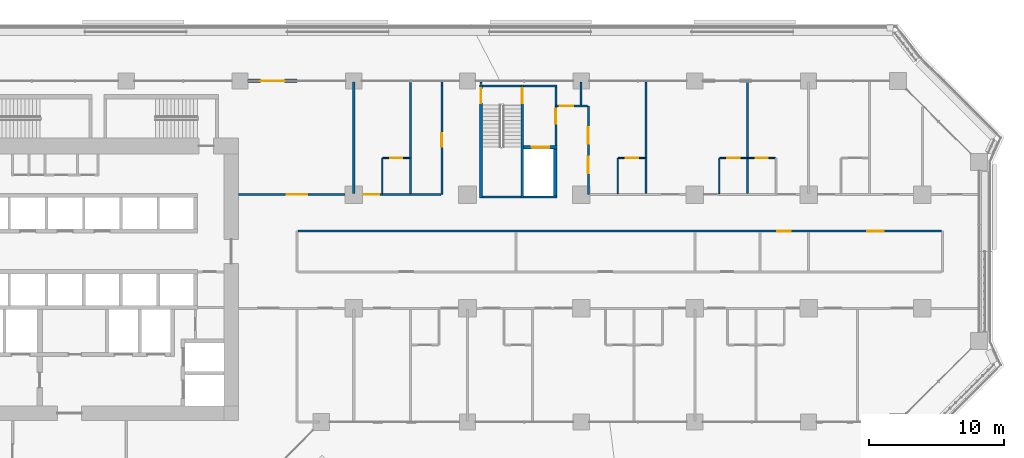
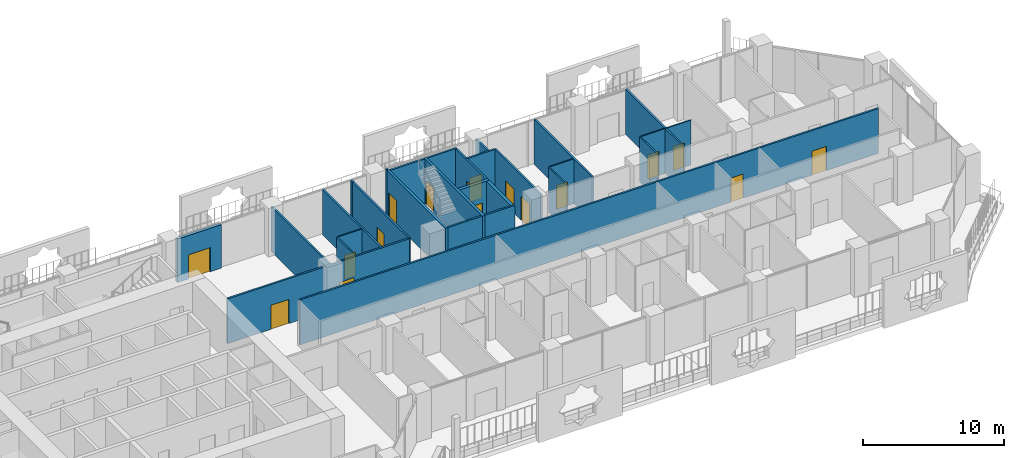
# One storey, part 18 of 28: 28 walls, 17 doors, 17 openings.
"""IFC4 building model written with IfcOpenShell, lengths in metres."""

from ifc_helpers import new_model, si_unit, direction, frame, frame_2d, origin, place, context, subcontext, project, spatial, rectangle, extrude, material, layer, layer_set, type_object, element, fill, save


model = new_model("IFC4")

# Units and contexts
model_context = context("Model", 3, precision=1e-05, world=origin(), true_north=direction((0.0, 1.0)))
body_context = subcontext(model_context, "Body", "Model", "MODEL_VIEW")
ifc_project = project(units=[si_unit("LENGTHUNIT", "METRE"), si_unit("AREAUNIT", "SQUARE_METRE"), si_unit("VOLUMEUNIT", "CUBIC_METRE"), si_unit("PLANEANGLEUNIT", "RADIAN"), si_unit("MASSUNIT", "GRAM", prefix="KILO")], contexts=[model_context])

# Site, building, storey
site_placement = place(None, origin())
site = spatial("IfcSite", under=ifc_project, at=site_placement, CompositionType="ELEMENT")
building_placement = place(site_placement, origin())
building = spatial("IfcBuilding", under=site, at=building_placement, Name="Kawkab Arch Medical Tower", CompositionType="ELEMENT")
storey_placement = place(building_placement, frame((0.0, 0.0, 56.0)))
storey = spatial("IfcBuildingStorey", under=building, at=storey_placement, Name="L12", CompositionType="ELEMENT", Elevation=56.0)

# Wall, opening, door
ifc_material_1 = material(Name="Gypsum board on steel studs", Category="steel")
ifc_layer_1 = layer(ifc_material_1, 0.14990234375)
ifc_layer_set_1 = layer_set([ifc_layer_1], Name="Gypsum board on steel studs")
wall_type_1 = type_object("IfcWallType", Name="Core room partition 150", PredefinedType="PARTITIONING", material=ifc_layer_set_1)
wall_1_placement = place(storey_placement, frame((48.52490234375, -4.77490234375, 0.0), z_axis=(0.0, 0.0, 1.0), x_axis=(0.0, 1.0, 0.0)))
wall_1 = element("IfcWall", 1, at=wall_1_placement, inside=storey, type_object=wall_type_1, Name="L12 core room partition", PredefinedType="PARTITIONING", context=body_context, shape_type="SweptSolid", body=[
    extrude(rectangle(XDim=4.324951171875, YDim=0.14990234375, at=frame_2d((2.16259765625, 0.0))), origin(), (0.0, 0.0, 1.0), 3.89990234375),
])
opening_1_placement = place(wall_1_placement, frame((1.625, 0.0, 0.0)))
opening_1 = element("IfcOpeningElement", 2, at=opening_1_placement, cuts=wall_1, Name="Opening FD", PredefinedType="OPENING", context=body_context, shape_type="SweptSolid", body=[
    extrude(rectangle(XDim=1.10009765625, YDim=2.10009765625, at=frame_2d((0.550048828125, 1.050048828125))), frame((0.0, 0.0849609375, 0.0), z_axis=(0.0, -1.0, 0.0), x_axis=(1.0, 0.0, 0.0)), (0.0, 0.0, 1.0), 0.169921875),
])
ifc_material_2 = material(Name="Hollow metal fire door leaf")
door_type_1 = type_object("IfcDoorType", Name="Firefighting lobby door 1100", OperationType="SINGLE_SWING_LEFT", PredefinedType="DOOR", material=ifc_material_2)
door_1_placement = place(opening_1_placement, origin())
door_1 = element("IfcDoor", 3, at=door_1_placement, inside=storey, type_object=door_type_1, Name="L12 Service lift lobby door SV1", OperationType="SINGLE_SWING_LEFT", OverallHeight=2.10009765625, OverallWidth=1.10009765625, PredefinedType="DOOR", context=body_context, shape_type="SweptSolid", body=[
    extrude(rectangle(XDim=1.10009765625, YDim=2.10009765625, at=frame_2d((0.550048828125, 1.050048828125))), frame((0.0, 0.02490234375, 0.0), z_axis=(0.0, -1.0, 0.0), x_axis=(1.0, 0.0, 0.0)), (0.0, 0.0, 1.0), 0.050048828125),
])
fill(opening_1, door_1)

ifc_material_3 = material(Name="Concrete C60/75", Category="concrete")
ifc_layer_2 = layer(ifc_material_3, 0.25)
ifc_layer_set_2 = layer_set([ifc_layer_2], Name="Concrete C60/75")
wall_type_2 = type_object("IfcWallType", Name="Core shear wall 250 C60/75", PredefinedType="SHEAR", material=ifc_layer_set_2)
wall_2_placement = place(storey_placement, frame((46.14990234375, -4.89990234375, 0.0), z_axis=(0.0, 0.0, 1.0), x_axis=(1.0, 0.0, 0.0)))
wall_2 = element("IfcWall", 4, at=wall_2_placement, inside=storey, type_object=wall_type_2, Name="L12 core shear wall", PredefinedType="SHEAR", context=body_context, shape_type="SweptSolid", body=[
    extrude(rectangle(XDim=2.4501953125, YDim=0.25, at=frame_2d((1.22509765625, 0.0))), origin(), (0.0, 0.0, 1.0), 3.89990234375),
])
opening_2_placement = place(wall_2_placement, frame((0.60009765625, 0.0, 0.0)))
opening_2 = element("IfcOpeningElement", 5, at=opening_2_placement, cuts=wall_2, Name="Opening LD2", PredefinedType="OPENING", context=body_context, shape_type="SweptSolid", body=[
    extrude(rectangle(XDim=1.300048828125, YDim=2.10009765625, at=frame_2d((0.64990234375, 1.050048828125))), frame((0.0, 0.135009765625, 0.0), z_axis=(0.0, -1.0, 0.0), x_axis=(1.0, 0.0, 0.0)), (0.0, 0.0, 1.0), 0.27001953125),
])
ifc_material_4 = material(Name="Stainless steel lift door leaf", Category="steel")
door_type_2 = type_object("IfcDoorType", Name="Lift landing door 1300", OperationType="DOUBLE_DOOR_SLIDING", PredefinedType="DOOR", material=ifc_material_4)
door_2_placement = place(opening_2_placement, origin())
door_2 = element("IfcDoor", 6, at=door_2_placement, inside=storey, type_object=door_type_2, Name="L12 Lift landing door SV1", OperationType="DOUBLE_DOOR_SLIDING", OverallHeight=2.10009765625, OverallWidth=1.300048828125, PredefinedType="DOOR", context=body_context, shape_type="SweptSolid", body=[
    extrude(rectangle(XDim=1.300048828125, YDim=2.10009765625, at=frame_2d((0.64990234375, 1.050048828125))), frame((0.0, 0.02490234375, 0.0), z_axis=(0.0, -1.0, 0.0), x_axis=(1.0, 0.0, 0.0)), (0.0, 0.0, 1.0), 0.050048828125),
])
fill(opening_2, door_2)

# Wall
wall_3_placement = place(storey_placement, frame((48.47509765625, -8.5, 0.0), z_axis=(0.0, 0.0, 1.0), x_axis=(0.0, 1.0, 0.0)))
element("IfcWall", 7, at=wall_3_placement, inside=storey, type_object=wall_type_2, Name="L12 core shear wall", PredefinedType="SHEAR", context=body_context, shape_type="SweptSolid", body=[
    extrude(rectangle(XDim=3.47509765625, YDim=0.25, at=frame_2d((1.737548828125, 0.0))), origin(), (0.0, 0.0, 1.0), 3.89990234375),
])

# Wall, opening, door
ifc_material_5 = material(Name="Bronze clad insulated wall panel")
ifc_layer_3 = layer(ifc_material_5, 0.25)
ifc_layer_set_3 = layer_set([ifc_layer_3], Name="Bronze clad insulated wall panel")
wall_type_3 = type_object("IfcWallType", Name="External wall bay 250", PredefinedType="SOLIDWALL", material=ifc_layer_set_3)
wall_4_placement = place(storey_placement, frame((29.39990234375, 0.0, 0.0), z_axis=(0.0, 0.0, 1.0), x_axis=(-1.0, 0.0, 0.0)))
wall_4 = element("IfcWall", 8, at=wall_4_placement, inside=storey, type_object=wall_type_3, Name="External wall bay L12.R11.6.2", PredefinedType="SOLIDWALL", context=body_context, shape_type="SweptSolid", body=[
    extrude(rectangle(XDim=3.599853515625, YDim=0.25, at=frame_2d((1.7998046875, 0.0))), origin(), (0.0, 0.0, 1.0), 3.780029296875),
])
opening_3_placement = place(wall_4_placement, frame((0.89990234375, 0.0, 0.0)))
opening_3 = element("IfcOpeningElement", 9, at=opening_3_placement, cuts=wall_4, Name="Opening W12-702", PredefinedType="OPENING", context=body_context, shape_type="SweptSolid", body=[
    extrude(rectangle(XDim=1.800048828125, YDim=2.10009765625, at=frame_2d((0.89990234375, 1.050048828125))), frame((0.0, 0.135009765625, 0.0), z_axis=(0.0, -1.0, 0.0), x_axis=(1.0, 0.0, 0.0)), (0.0, 0.0, 1.0), 0.27001953125),
])
ifc_material_6 = material(Name="Bronze anodised aluminium door with tinted glass", Category="aluminium")
door_type_3 = type_object("IfcDoorType", Name="Double external door 1800 x 2100", OperationType="DOUBLE_DOOR_SINGLE_SWING", PredefinedType="DOOR", material=ifc_material_6)
door_3_placement = place(opening_3_placement, origin())
door_3 = element("IfcDoor", 10, at=door_3_placement, inside=storey, type_object=door_type_3, Name="External door L12.R11.6.2", OperationType="DOUBLE_DOOR_SINGLE_SWING", OverallHeight=2.10009765625, OverallWidth=1.800048828125, PredefinedType="DOOR", context=body_context, shape_type="SweptSolid", body=[
    extrude(rectangle(XDim=1.800048828125, YDim=2.10009765625, at=frame_2d((0.89990234375, 1.050048828125))), frame((0.0, 0.02490234375, 0.0), z_axis=(0.0, -1.0, 0.0), x_axis=(1.0, 0.0, 0.0)), (0.0, 0.0, 1.0), 0.050048828125),
])
fill(opening_3, door_3)

ifc_material_7 = material(Name="Gypsum board partition on steel studs", Category="steel")
ifc_layer_4 = layer(ifc_material_7, 0.10009765625)
ifc_layer_set_4 = layer_set([ifc_layer_4], Name="Gypsum board partition on steel studs")
wall_type_4 = type_object("IfcWallType", Name="Partition 100", PredefinedType="PARTITIONING", material=ifc_layer_set_4)
wall_5_placement = place(storey_placement, frame((35.75, -5.699951171875, 0.0), z_axis=(0.0, 0.0, 1.0), x_axis=(1.0, 0.0, 0.0)))
wall_5 = element("IfcWall", 11, at=wall_5_placement, inside=storey, type_object=wall_type_4, Name="Partition 100 w015", PredefinedType="PARTITIONING", context=body_context, shape_type="SweptSolid", body=[
    extrude(rectangle(XDim=1.97509765625, YDim=0.10009765625, at=frame_2d((0.987548828125, 0.0))), origin(), (0.0, 0.0, 1.0), 3.89990234375),
])
opening_4_placement = place(wall_5_placement, frame((0.550048828125, 0.0, 0.0)))
opening_4 = element("IfcOpeningElement", 12, at=opening_4_placement, cuts=wall_5, Name="Opening W12-005", PredefinedType="OPENING", context=body_context, shape_type="SweptSolid", body=[
    extrude(rectangle(XDim=0.89990234375, YDim=2.10009765625, at=frame_2d((0.449951171875, 1.050048828125))), frame((0.0, 0.06005859375, 0.0), z_axis=(0.0, -1.0, 0.0), x_axis=(1.0, 0.0, 0.0)), (0.0, 0.0, 1.0), 0.1201171875),
])
ifc_material_8 = material(Name="Timber door leaf", Category="wood")
door_type_4 = type_object("IfcDoorType", Name="Single door 900x2100", OperationType="NOTDEFINED", PredefinedType="DOOR", material=ifc_material_8)
door_4_placement = place(opening_4_placement, origin())
door_4 = element("IfcDoor", 13, at=door_4_placement, inside=storey, type_object=door_type_4, Name="Door W12-005", OperationType="SINGLE_SWING_LEFT", OverallHeight=2.10009765625, OverallWidth=0.89990234375, PredefinedType="DOOR", context=body_context, shape_type="SweptSolid", body=[
    extrude(rectangle(XDim=0.89990234375, YDim=2.10009765625, at=frame_2d((0.449951171875, 1.050048828125))), frame((0.0, 0.02490234375, 0.0), z_axis=(0.0, -1.0, 0.0), x_axis=(1.0, 0.0, 0.0)), (0.0, 0.0, 1.0), 0.050048828125),
])
fill(opening_4, door_4)

wall_6_placement = place(storey_placement, frame((53.14990234375, -5.699951171875, 0.0), z_axis=(0.0, 0.0, 1.0), x_axis=(1.0, 0.0, 0.0)))
wall_6 = element("IfcWall", 14, at=wall_6_placement, inside=storey, type_object=wall_type_4, Name="Partition 100 w016", PredefinedType="PARTITIONING", context=body_context, shape_type="SweptSolid", body=[
    extrude(rectangle(XDim=1.97509765625, YDim=0.10009765625, at=frame_2d((0.987548828125, 0.0))), origin(), (0.0, 0.0, 1.0), 3.89990234375),
])
opening_5_placement = place(wall_6_placement, frame((0.550048828125, 0.0, 0.0)))
opening_5 = element("IfcOpeningElement", 15, at=opening_5_placement, cuts=wall_6, Name="Opening W12-006", PredefinedType="OPENING", context=body_context, shape_type="SweptSolid", body=[
    extrude(rectangle(XDim=0.89990234375, YDim=2.10009765625, at=frame_2d((0.449951171875, 1.050048828125))), frame((0.0, 0.06005859375, 0.0), z_axis=(0.0, -1.0, 0.0), x_axis=(1.0, 0.0, 0.0)), (0.0, 0.0, 1.0), 0.1201171875),
])
door_5_placement = place(opening_5_placement, origin())
door_5 = element("IfcDoor", 16, at=door_5_placement, inside=storey, type_object=door_type_4, Name="Door W12-006", OperationType="SINGLE_SWING_RIGHT", OverallHeight=2.10009765625, OverallWidth=0.89990234375, PredefinedType="DOOR", context=body_context, shape_type="SweptSolid", body=[
    extrude(rectangle(XDim=0.89990234375, YDim=2.10009765625, at=frame_2d((0.449951171875, 1.050048828125))), frame((0.0, 0.02490234375, 0.0), z_axis=(0.0, -1.0, 0.0), x_axis=(1.0, 0.0, 0.0)), (0.0, 0.0, 1.0), 0.050048828125),
])
fill(opening_5, door_5)

# Wall, openings, doors
wall_7_placement = place(storey_placement, frame((60.652099609375, -5.699951171875, 0.0), z_axis=(0.0, 0.0, 1.0), x_axis=(1.0, 0.0, 0.0)))
wall_7 = element("IfcWall", 17, at=wall_7_placement, inside=storey, type_object=wall_type_4, Name="Partition 100 w017", PredefinedType="PARTITIONING", context=body_context, shape_type="SweptSolid", body=[
    extrude(rectangle(XDim=4.097900390625, YDim=0.10009765625, at=frame_2d((2.048828125, 0.0))), origin(), (0.0, 0.0, 1.0), 3.89990234375),
])
opening_6_placement = place(wall_7_placement, frame((0.549072265625, 0.0, 0.0)))
opening_6 = element("IfcOpeningElement", 18, at=opening_6_placement, cuts=wall_7, Name="Opening W12-007", PredefinedType="OPENING", context=body_context, shape_type="SweptSolid", body=[
    extrude(rectangle(XDim=0.89990234375, YDim=2.10009765625, at=frame_2d((0.449951171875, 1.050048828125))), frame((0.0, 0.06005859375, 0.0), z_axis=(0.0, -1.0, 0.0), x_axis=(1.0, 0.0, 0.0)), (0.0, 0.0, 1.0), 0.1201171875),
])
opening_7_placement = place(wall_7_placement, frame((2.64794921875, 0.0, 0.0)))
opening_7 = element("IfcOpeningElement", 19, at=opening_7_placement, cuts=wall_7, Name="Opening W12-008", PredefinedType="OPENING", context=body_context, shape_type="SweptSolid", body=[
    extrude(rectangle(XDim=0.89990234375, YDim=2.10009765625, at=frame_2d((0.449951171875, 1.050048828125))), frame((0.0, 0.06005859375, 0.0), z_axis=(0.0, -1.0, 0.0), x_axis=(1.0, 0.0, 0.0)), (0.0, 0.0, 1.0), 0.1201171875),
])
door_6_placement = place(opening_6_placement, origin())
door_6 = element("IfcDoor", 20, at=door_6_placement, inside=storey, type_object=door_type_4, Name="Door W12-007", OperationType="SINGLE_SWING_LEFT", OverallHeight=2.10009765625, OverallWidth=0.89990234375, PredefinedType="DOOR", context=body_context, shape_type="SweptSolid", body=[
    extrude(rectangle(XDim=0.89990234375, YDim=2.10009765625, at=frame_2d((0.449951171875, 1.050048828125))), frame((0.0, 0.02490234375, 0.0), z_axis=(0.0, -1.0, 0.0), x_axis=(1.0, 0.0, 0.0)), (0.0, 0.0, 1.0), 0.050048828125),
])
fill(opening_6, door_6)
door_7_placement = place(opening_7_placement, origin())
door_7 = element("IfcDoor", 21, at=door_7_placement, inside=storey, type_object=door_type_4, Name="Door W12-008", OperationType="SINGLE_SWING_RIGHT", OverallHeight=2.10009765625, OverallWidth=0.89990234375, PredefinedType="DOOR", context=body_context, shape_type="SweptSolid", body=[
    extrude(rectangle(XDim=0.89990234375, YDim=2.10009765625, at=frame_2d((0.449951171875, 1.050048828125))), frame((0.0, 0.02490234375, 0.0), z_axis=(0.0, -1.0, 0.0), x_axis=(1.0, 0.0, 0.0)), (0.0, 0.0, 1.0), 0.050048828125),
])
fill(opening_7, door_7)

# Walls
for number, where, z_axis, x_axis, name in (
    (22, (35.699951171875, -8.324951171875, 0.0), (0.0, 0.0, 1.0), (0.0, 1.0, 0.0), "Partition 100 w027"),
    (23, (53.10009765625, -8.324951171875, 0.0), (0.0, 0.0, 1.0), (0.0, 1.0, 0.0), "Partition 100 w031"),
):
    element("IfcWall", number, at=place(storey_placement, frame(where, z_axis=z_axis, x_axis=x_axis)), inside=storey, type_object=wall_type_4, Name=name, PredefinedType="PARTITIONING", context=body_context, shape_type="SweptSolid", body=[
        extrude(rectangle(XDim=2.625, YDim=0.10009765625, at=frame_2d((1.3125, 0.0))), origin(), (0.0, 0.0, 1.0), 3.89990234375),
    ])
wall_8_placement = place(storey_placement, frame((60.60009765625, -8.324951171875, 0.0), z_axis=(0.0, 0.0, 1.0), x_axis=(0.0, 1.0, 0.0)))
element("IfcWall", 24, at=wall_8_placement, inside=storey, type_object=wall_type_4, Name="Partition 100 w033", PredefinedType="PARTITIONING", context=body_context, shape_type="SweptSolid", body=[
    extrude(rectangle(XDim=2.6240234375, YDim=0.10009765625, at=frame_2d((1.31201171875, 0.0))), origin(), (0.0, 0.0, 1.0), 3.89990234375),
])

# Wall, openings, doors
ifc_material_9 = material(Name="Gypsum board partition on steel studs, mineral wool", Category="steel")
ifc_layer_5 = layer(ifc_material_9, 0.14990234375)
ifc_layer_set_5 = layer_set([ifc_layer_5], Name="Gypsum board partition on steel studs, mineral wool")
wall_type_5 = type_object("IfcWallType", Name="Partition 150", PredefinedType="PARTITIONING", material=ifc_layer_set_5)
wall_9_placement = place(storey_placement, frame((29.47509765625, -11.10009765625, 0.0), z_axis=(0.0, 0.0, 1.0), x_axis=(1.0, 0.0, 0.0)))
wall_9 = element("IfcWall", 25, at=wall_9_placement, inside=storey, type_object=wall_type_5, Name="Partition 150 w064", PredefinedType="PARTITIONING", context=body_context, shape_type="SweptSolid", body=[
    extrude(rectangle(XDim=47.5498046875, YDim=0.14990234375, at=frame_2d((23.77490234375, 0.0))), origin(), (0.0, 0.0, 1.0), 3.89990234375),
])
opening_8_placement = place(wall_9_placement, frame((35.425048828125, 0.0, 0.0)))
opening_8 = element("IfcOpeningElement", 26, at=opening_8_placement, cuts=wall_9, Name="Opening W12-037", PredefinedType="OPENING", context=body_context, shape_type="SweptSolid", body=[
    extrude(rectangle(XDim=1.0, YDim=2.10009765625, at=frame_2d((0.5, 1.050048828125))), frame((0.0, 0.0849609375, 0.0), z_axis=(0.0, -1.0, 0.0), x_axis=(1.0, 0.0, 0.0)), (0.0, 0.0, 1.0), 0.169921875),
])
opening_9_placement = place(wall_9_placement, frame((42.074951171875, 0.0, 0.0)))
opening_9 = element("IfcOpeningElement", 27, at=opening_9_placement, cuts=wall_9, Name="Opening W12-053", PredefinedType="OPENING", context=body_context, shape_type="SweptSolid", body=[
    extrude(rectangle(XDim=1.199951171875, YDim=2.10009765625, at=frame_2d((0.60009765625, 1.050048828125))), frame((0.0, 0.0849609375, 0.0), z_axis=(0.0, -1.0, 0.0), x_axis=(1.0, 0.0, 0.0)), (0.0, 0.0, 1.0), 0.169921875),
])
ifc_material_10 = material(Name="Hollow metal door leaf")
door_type_5 = type_object("IfcDoorType", Name="Single door 1000x2100 FD30S", OperationType="NOTDEFINED", PredefinedType="DOOR", material=ifc_material_10)
door_8_placement = place(opening_8_placement, origin())
door_8 = element("IfcDoor", 28, at=door_8_placement, inside=storey, type_object=door_type_5, Name="Door W12-037", OperationType="SINGLE_SWING_LEFT", OverallHeight=2.10009765625, OverallWidth=1.0, PredefinedType="DOOR", context=body_context, shape_type="SweptSolid", body=[
    extrude(rectangle(XDim=1.0, YDim=2.10009765625, at=frame_2d((0.5, 1.050048828125))), frame((0.0, 0.02490234375, 0.0), z_axis=(0.0, -1.0, 0.0), x_axis=(1.0, 0.0, 0.0)), (0.0, 0.0, 1.0), 0.050048828125),
])
fill(opening_8, door_8)
ifc_material_11 = material(Name="Hollow metal door leaf")
door_type_6 = type_object("IfcDoorType", Name="Single door 1200x2100 FD30S", OperationType="NOTDEFINED", PredefinedType="DOOR", material=ifc_material_11)
door_9_placement = place(opening_9_placement, origin())
door_9 = element("IfcDoor", 29, at=door_9_placement, inside=storey, type_object=door_type_6, Name="Door W12-053", OperationType="SINGLE_SWING_LEFT", OverallHeight=2.10009765625, OverallWidth=1.199951171875, PredefinedType="DOOR", context=body_context, shape_type="SweptSolid", body=[
    extrude(rectangle(XDim=1.199951171875, YDim=2.10009765625, at=frame_2d((0.60009765625, 1.050048828125))), frame((0.0, 0.02490234375, 0.0), z_axis=(0.0, -1.0, 0.0), x_axis=(1.0, 0.0, 0.0)), (0.0, 0.0, 1.0), 0.050048828125),
])
fill(opening_9, door_9)

wall_10_placement = place(storey_placement, frame((25.10009765625, -8.39990234375, 0.0), z_axis=(0.0, 0.0, 1.0), x_axis=(1.0, 0.0, 0.0)))
wall_10 = element("IfcWall", 30, at=wall_10_placement, inside=storey, type_object=wall_type_5, Name="Partition 150 w066", PredefinedType="PARTITIONING", context=body_context, shape_type="SweptSolid", body=[
    extrude(rectangle(XDim=14.931884765625, YDim=0.14990234375, at=frame_2d((7.4658203125, 0.0))), origin(), (0.0, 0.0, 1.0), 3.89990234375),
])
opening_10_placement = place(wall_10_placement, frame((3.550048828125, 0.0, 0.0)))
opening_10 = element("IfcOpeningElement", 31, at=opening_10_placement, cuts=wall_10, Name="Opening W12-002", PredefinedType="OPENING", context=body_context, shape_type="SweptSolid", body=[
    extrude(rectangle(XDim=1.5, YDim=2.10009765625, at=frame_2d((0.75, 1.050048828125))), frame((0.0, 0.0849609375, 0.0), z_axis=(0.0, -1.0, 0.0), x_axis=(1.0, 0.0, 0.0)), (0.0, 0.0, 1.0), 0.169921875),
])
opening_11_placement = place(wall_10_placement, frame((9.199951171875, 0.0, 0.0)))
opening_11 = element("IfcOpeningElement", 32, at=opening_11_placement, cuts=wall_10, Name="Opening W12-047", PredefinedType="OPENING", context=body_context, shape_type="SweptSolid", body=[
    extrude(rectangle(XDim=1.199951171875, YDim=2.10009765625, at=frame_2d((0.60009765625, 1.050048828125))), frame((0.0, 0.0849609375, 0.0), z_axis=(0.0, -1.0, 0.0), x_axis=(1.0, 0.0, 0.0)), (0.0, 0.0, 1.0), 0.169921875),
])
ifc_material_12 = material(Name="Hollow metal door leaf")
door_type_7 = type_object("IfcDoorType", Name="Double door 1500x2100 FD30S", OperationType="NOTDEFINED", PredefinedType="DOOR", material=ifc_material_12)
door_10_placement = place(opening_10_placement, origin())
door_10 = element("IfcDoor", 33, at=door_10_placement, inside=storey, type_object=door_type_7, Name="Door W12-002", OperationType="DOUBLE_DOOR_SINGLE_SWING", OverallHeight=2.10009765625, OverallWidth=1.5, PredefinedType="DOOR", context=body_context, shape_type="SweptSolid", body=[
    extrude(rectangle(XDim=1.5, YDim=2.10009765625, at=frame_2d((0.75, 1.050048828125))), frame((0.0, 0.02490234375, 0.0), z_axis=(0.0, -1.0, 0.0), x_axis=(1.0, 0.0, 0.0)), (0.0, 0.0, 1.0), 0.050048828125),
])
fill(opening_10, door_10)
door_11_placement = place(opening_11_placement, origin())
door_11 = element("IfcDoor", 34, at=door_11_placement, inside=storey, type_object=door_type_6, Name="Door W12-047", OperationType="SINGLE_SWING_RIGHT", OverallHeight=2.10009765625, OverallWidth=1.199951171875, PredefinedType="DOOR", context=body_context, shape_type="SweptSolid", body=[
    extrude(rectangle(XDim=1.199951171875, YDim=2.10009765625, at=frame_2d((0.60009765625, 1.050048828125))), frame((0.0, 0.02490234375, 0.0), z_axis=(0.0, -1.0, 0.0), x_axis=(1.0, 0.0, 0.0)), (0.0, 0.0, 1.0), 0.050048828125),
])
fill(opening_11, door_11)

# Wall, opening, door
wall_11_placement = place(storey_placement, frame((48.550048828125, -1.85009765625, 0.0), z_axis=(0.0, 0.0, 1.0), x_axis=(1.0, 0.0, 0.0)))
wall_11 = element("IfcWall", 35, at=wall_11_placement, inside=storey, type_object=wall_type_5, Name="Partition 150 w069", PredefinedType="PARTITIONING", context=body_context, shape_type="SweptSolid", body=[
    extrude(rectangle(XDim=2.300048828125, YDim=0.14990234375, at=frame_2d((1.14990234375, 0.0))), origin(), (0.0, 0.0, 1.0), 3.89990234375),
])
opening_12_placement = place(wall_11_placement, frame((0.25, 0.0, 0.0)))
opening_12 = element("IfcOpeningElement", 36, at=opening_12_placement, cuts=wall_11, Name="Opening W12-033", PredefinedType="OPENING", context=body_context, shape_type="SweptSolid", body=[
    extrude(rectangle(XDim=1.0, YDim=2.10009765625, at=frame_2d((0.5, 1.050048828125))), frame((0.0, 0.0849609375, 0.0), z_axis=(0.0, -1.0, 0.0), x_axis=(1.0, 0.0, 0.0)), (0.0, 0.0, 1.0), 0.169921875),
])
door_12_placement = place(opening_12_placement, origin())
door_12 = element("IfcDoor", 37, at=door_12_placement, inside=storey, type_object=door_type_5, Name="Door W12-033", OperationType="SINGLE_SWING_LEFT", OverallHeight=2.10009765625, OverallWidth=1.0, PredefinedType="DOOR", context=body_context, shape_type="SweptSolid", body=[
    extrude(rectangle(XDim=1.0, YDim=2.10009765625, at=frame_2d((0.5, 1.050048828125))), frame((0.0, 0.02490234375, 0.0), z_axis=(0.0, -1.0, 0.0), x_axis=(1.0, 0.0, 0.0)), (0.0, 0.0, 1.0), 0.050048828125),
])
fill(opening_12, door_12)

# Walls
for number, where, z_axis, x_axis, name in (
    (38, (33.60009765625, -8.324951171875, 0.0), (0.0, 0.0, 1.0), (0.0, 1.0, 0.0), "Partition 150 w083"),
    (39, (37.800048828125, -8.324951171875, 0.0), (0.0, 0.0, 1.0), (0.0, 1.0, 0.0), "Partition 150 w085"),
):
    element("IfcWall", number, at=place(storey_placement, frame(where, z_axis=z_axis, x_axis=x_axis)), inside=storey, type_object=wall_type_5, Name=name, PredefinedType="PARTITIONING", context=body_context, shape_type="SweptSolid", body=[
        extrude(rectangle(XDim=8.244873046875, YDim=0.14990234375, at=frame_2d((4.12255859375, 0.0))), origin(), (0.0, 0.0, 1.0), 3.89990234375),
    ])

# Wall, opening, door
wall_12_placement = place(storey_placement, frame((40.10693359375, -8.39990234375, 0.0), z_axis=(0.0, 0.0, 1.0), x_axis=(0.0, 1.0, 0.0)))
wall_12 = element("IfcWall", 40, at=wall_12_placement, inside=storey, type_object=wall_type_5, Name="Partition 150 w086", PredefinedType="PARTITIONING", context=body_context, shape_type="SweptSolid", body=[
    extrude(rectangle(XDim=8.0478515625, YDim=0.14990234375, at=frame_2d((4.02392578125, 0.0))), origin(), (0.0, 0.0, 1.0), 3.89990234375),
])
opening_13_placement = place(wall_12_placement, frame((3.52392578125, 0.0, 0.0)))
opening_13 = element("IfcOpeningElement", 41, at=opening_13_placement, cuts=wall_12, Name="Opening W12-032", PredefinedType="OPENING", context=body_context, shape_type="SweptSolid", body=[
    extrude(rectangle(XDim=1.0, YDim=2.10009765625, at=frame_2d((0.5, 1.050048828125))), frame((0.0, 0.0849609375, 0.0), z_axis=(0.0, -1.0, 0.0), x_axis=(1.0, 0.0, 0.0)), (0.0, 0.0, 1.0), 0.169921875),
])
door_13_placement = place(opening_13_placement, origin())
door_13 = element("IfcDoor", 42, at=door_13_placement, inside=storey, type_object=door_type_5, Name="Door W12-032", OperationType="SINGLE_SWING_RIGHT", OverallHeight=2.10009765625, OverallWidth=1.0, PredefinedType="DOOR", context=body_context, shape_type="SweptSolid", body=[
    extrude(rectangle(XDim=1.0, YDim=2.10009765625, at=frame_2d((0.5, 1.050048828125))), frame((0.0, 0.02490234375, 0.0), z_axis=(0.0, -1.0, 0.0), x_axis=(1.0, 0.0, 0.0)), (0.0, 0.0, 1.0), 0.050048828125),
])
fill(opening_13, door_13)

# Walls
wall_13_placement = place(storey_placement, frame((40.10693359375, -0.35009765625, 0.0), z_axis=(0.0, 0.0, 1.0), x_axis=(0.0, 1.0, 0.0)))
element("IfcWall", 43, at=wall_13_placement, inside=storey, type_object=wall_type_5, Name="Partition 150 w087", PredefinedType="PARTITIONING", context=body_context, shape_type="SweptSolid", body=[
    extrude(rectangle(XDim=0.27001953125, YDim=0.14990234375, at=frame_2d((0.135009765625, 0.0))), origin(), (0.0, 0.0, 1.0), 3.89990234375),
])
wall_14_placement = place(storey_placement, frame((43.0, -0.27001953125, 0.0), z_axis=(0.0, 0.0, 1.0), x_axis=(0.0, 1.0, 0.0)))
element("IfcWall", 44, at=wall_14_placement, inside=storey, type_object=wall_type_5, Name="Partition 150 w089", PredefinedType="PARTITIONING", context=body_context, shape_type="SweptSolid", body=[
    extrude(rectangle(XDim=0.18994140625, YDim=0.14990234375, at=frame_2d((0.094970703125, 0.0))), origin(), (0.0, 0.0, 1.0), 3.89990234375),
])
wall_15_placement = place(storey_placement, frame((50.39990234375, -1.77490234375, 0.0), z_axis=(0.0, 0.0, 1.0), x_axis=(0.0, 1.0, 0.0)))
element("IfcWall", 45, at=wall_15_placement, inside=storey, type_object=wall_type_5, Name="Partition 150 w092", PredefinedType="PARTITIONING", context=body_context, shape_type="SweptSolid", body=[
    extrude(rectangle(XDim=1.69482421875, YDim=0.14990234375, at=frame_2d((0.847412109375, 0.0))), origin(), (0.0, 0.0, 1.0), 3.89990234375),
])

# Wall, openings, doors
wall_16_placement = place(storey_placement, frame((50.925048828125, -8.39990234375, 0.0), z_axis=(0.0, 0.0, 1.0), x_axis=(0.0, 1.0, 0.0)))
wall_16 = element("IfcWall", 46, at=wall_16_placement, inside=storey, type_object=wall_type_5, Name="Partition 150 w093", PredefinedType="PARTITIONING", context=body_context, shape_type="SweptSolid", body=[
    extrude(rectangle(XDim=6.5498046875, YDim=0.14990234375, at=frame_2d((3.27490234375, 0.0))), origin(), (0.0, 0.0, 1.0), 3.89990234375),
])
opening_14_placement = place(wall_16_placement, frame((3.76708984375, 0.0, 0.0)))
opening_14 = element("IfcOpeningElement", 47, at=opening_14_placement, cuts=wall_16, Name="Opening W12-048", PredefinedType="OPENING", context=body_context, shape_type="SweptSolid", body=[
    extrude(rectangle(XDim=1.199951171875, YDim=2.10009765625, at=frame_2d((0.60009765625, 1.050048828125))), frame((0.0, 0.0849609375, 0.0), z_axis=(0.0, -1.0, 0.0), x_axis=(1.0, 0.0, 0.0)), (0.0, 0.0, 1.0), 0.169921875),
])
opening_15_placement = place(wall_16_placement, frame((1.5830078125, 0.0, 0.0)))
opening_15 = element("IfcOpeningElement", 48, at=opening_15_placement, cuts=wall_16, Name="Opening W12-049", PredefinedType="OPENING", context=body_context, shape_type="SweptSolid", body=[
    extrude(rectangle(XDim=1.199951171875, YDim=2.10009765625, at=frame_2d((0.60009765625, 1.050048828125))), frame((0.0, 0.0849609375, 0.0), z_axis=(0.0, -1.0, 0.0), x_axis=(1.0, 0.0, 0.0)), (0.0, 0.0, 1.0), 0.169921875),
])
door_14_placement = place(opening_14_placement, origin())
door_14 = element("IfcDoor", 49, at=door_14_placement, inside=storey, type_object=door_type_6, Name="Door W12-048", OperationType="SINGLE_SWING_LEFT", OverallHeight=2.10009765625, OverallWidth=1.199951171875, PredefinedType="DOOR", context=body_context, shape_type="SweptSolid", body=[
    extrude(rectangle(XDim=1.199951171875, YDim=2.10009765625, at=frame_2d((0.60009765625, 1.050048828125))), frame((0.0, 0.02490234375, 0.0), z_axis=(0.0, -1.0, 0.0), x_axis=(1.0, 0.0, 0.0)), (0.0, 0.0, 1.0), 0.050048828125),
])
fill(opening_14, door_14)
door_15_placement = place(opening_15_placement, origin())
door_15 = element("IfcDoor", 50, at=door_15_placement, inside=storey, type_object=door_type_6, Name="Door W12-049", OperationType="SINGLE_SWING_RIGHT", OverallHeight=2.10009765625, OverallWidth=1.199951171875, PredefinedType="DOOR", context=body_context, shape_type="SweptSolid", body=[
    extrude(rectangle(XDim=1.199951171875, YDim=2.10009765625, at=frame_2d((0.60009765625, 1.050048828125))), frame((0.0, 0.02490234375, 0.0), z_axis=(0.0, -1.0, 0.0), x_axis=(1.0, 0.0, 0.0)), (0.0, 0.0, 1.0), 0.050048828125),
])
fill(opening_15, door_15)

# Walls
for number, where, z_axis, x_axis, name in (
    (51, (55.199951171875, -8.324951171875, 0.0), (0.0, 0.0, 1.0), (0.0, 1.0, 0.0), "Partition 150 w095"),
    (52, (62.699951171875, -8.324951171875, 0.0), (0.0, 0.0, 1.0), (0.0, 1.0, 0.0), "Partition 150 w098"),
):
    element("IfcWall", number, at=place(storey_placement, frame(where, z_axis=z_axis, x_axis=x_axis)), inside=storey, type_object=wall_type_5, Name=name, PredefinedType="PARTITIONING", context=body_context, shape_type="SweptSolid", body=[
        extrude(rectangle(XDim=8.244873046875, YDim=0.14990234375, at=frame_2d((4.12255859375, 0.0))), origin(), (0.0, 0.0, 1.0), 3.89990234375),
    ])
ifc_material_13 = material(Name="Concrete C50/60", Category="concrete")
ifc_layer_6 = layer(ifc_material_13, 0.14990234375)
ifc_layer_set_6 = layer_set([ifc_layer_6], Name="Concrete C50/60")
wall_type_6 = type_object("IfcWallType", Name="Stair enclosure wall 150 C50/60", PredefinedType="SHEAR", material=ifc_layer_set_6)
wall_17_placement = place(storey_placement, frame((43.10009765625, -0.375, 0.0), z_axis=(0.0, 0.0, 1.0), x_axis=(1.0, 0.0, 0.0)))
element("IfcWall", 53, at=wall_17_placement, inside=storey, type_object=wall_type_6, Name="L12 stair enclosure wall", PredefinedType="SHEAR", context=body_context, shape_type="SweptSolid", body=[
    extrude(rectangle(XDim=2.849853515625, YDim=0.14990234375, at=frame_2d((1.4248046875, 0.0))), origin(), (0.0, 0.0, 1.0), 3.89990234375),
])
wall_18_placement = place(storey_placement, frame((46.14990234375, -0.375, 0.0), z_axis=(0.0, 0.0, 1.0), x_axis=(1.0, 0.0, 0.0)))
element("IfcWall", 54, at=wall_18_placement, inside=storey, type_object=wall_type_6, Name="L12 stair enclosure wall", PredefinedType="SHEAR", context=body_context, shape_type="SweptSolid", body=[
    extrude(rectangle(XDim=2.4501953125, YDim=0.14990234375, at=frame_2d((1.22509765625, 0.0))), origin(), (0.0, 0.0, 1.0), 3.89990234375),
])
wall_19_placement = place(storey_placement, frame((43.10009765625, -8.574951171875, 0.0), z_axis=(0.0, 0.0, 1.0), x_axis=(1.0, 0.0, 0.0)))
element("IfcWall", 55, at=wall_19_placement, inside=storey, type_object=wall_type_6, Name="L12 stair enclosure wall", PredefinedType="SHEAR", context=body_context, shape_type="SweptSolid", body=[
    extrude(rectangle(XDim=2.849853515625, YDim=0.14990234375, at=frame_2d((1.4248046875, 0.0))), origin(), (0.0, 0.0, 1.0), 3.89990234375),
])
wall_20_placement = place(storey_placement, frame((46.14990234375, -8.574951171875, 0.0), z_axis=(0.0, 0.0, 1.0), x_axis=(1.0, 0.0, 0.0)))
element("IfcWall", 56, at=wall_20_placement, inside=storey, type_object=wall_type_6, Name="L12 stair enclosure wall", PredefinedType="SHEAR", context=body_context, shape_type="SweptSolid", body=[
    extrude(rectangle(XDim=2.4501953125, YDim=0.14990234375, at=frame_2d((1.22509765625, 0.0))), origin(), (0.0, 0.0, 1.0), 3.89990234375),
])

# Wall, opening, door
ifc_material_14 = material(Name="Concrete C50/60", Category="concrete")
ifc_layer_7 = layer(ifc_material_14, 0.199951171875)
ifc_layer_set_7 = layer_set([ifc_layer_7], Name="Concrete C50/60")
wall_type_7 = type_object("IfcWallType", Name="Stair enclosure wall 200 C50/60", PredefinedType="SHEAR", material=ifc_layer_set_7)
wall_21_placement = place(storey_placement, frame((43.0, -8.64990234375, 0.0), z_axis=(0.0, 0.0, 1.0), x_axis=(0.0, 1.0, 0.0)))
wall_21 = element("IfcWall", 57, at=wall_21_placement, inside=storey, type_object=wall_type_7, Name="L12 stair enclosure wall", PredefinedType="SHEAR", context=body_context, shape_type="SweptSolid", body=[
    extrude(rectangle(XDim=8.349853515625, YDim=0.199951171875, at=frame_2d((4.1748046875, 0.0))), origin(), (0.0, 0.0, 1.0), 3.89990234375),
])
opening_16_placement = place(wall_21_placement, frame((7.0, 0.0, 0.0)))
opening_16 = element("IfcOpeningElement", 58, at=opening_16_placement, cuts=wall_21, Name="Opening SD", PredefinedType="OPENING", context=body_context, shape_type="SweptSolid", body=[
    extrude(rectangle(XDim=1.10009765625, YDim=2.10009765625, at=frame_2d((0.550048828125, 1.050048828125))), frame((0.0, 0.10986328125, 0.0), z_axis=(0.0, -1.0, 0.0), x_axis=(1.0, 0.0, 0.0)), (0.0, 0.0, 1.0), 0.219970703125),
])
ifc_material_15 = material(Name="Hollow metal fire door leaf")
door_type_8 = type_object("IfcDoorType", Name="Exit stair door 1100", OperationType="SINGLE_SWING_LEFT", PredefinedType="DOOR", material=ifc_material_15)
door_16_placement = place(opening_16_placement, frame((1.10009765625, 0.0, 0.0), z_axis=(0.0, 0.0, 1.0), x_axis=(-1.0, 0.0, 0.0)))
door_16 = element("IfcDoor", 59, at=door_16_placement, inside=storey, type_object=door_type_8, Name="L12 Exit stair ST5 door", OperationType="SINGLE_SWING_LEFT", OverallHeight=2.10009765625, OverallWidth=1.10009765625, PredefinedType="DOOR", context=body_context, shape_type="SweptSolid", body=[
    extrude(rectangle(XDim=1.10009765625, YDim=2.10009765625, at=frame_2d((0.550048828125, 1.050048828125))), frame((0.0, 0.02490234375, 0.0), z_axis=(0.0, -1.0, 0.0), x_axis=(1.0, 0.0, 0.0)), (0.0, 0.0, 1.0), 0.050048828125),
])
fill(opening_16, door_16)

wall_22_placement = place(storey_placement, frame((46.050048828125, -8.64990234375, 0.0), z_axis=(0.0, 0.0, 1.0), x_axis=(0.0, 1.0, 0.0)))
wall_22 = element("IfcWall", 60, at=wall_22_placement, inside=storey, type_object=wall_type_7, Name="L12 stair enclosure wall", PredefinedType="SHEAR", context=body_context, shape_type="SweptSolid", body=[
    extrude(rectangle(XDim=8.349853515625, YDim=0.199951171875, at=frame_2d((4.1748046875, 0.0))), origin(), (0.0, 0.0, 1.0), 3.89990234375),
])
opening_17_placement = place(wall_22_placement, frame((7.0, 0.0, 0.0)))
opening_17 = element("IfcOpeningElement", 61, at=opening_17_placement, cuts=wall_22, Name="Opening SD", PredefinedType="OPENING", context=body_context, shape_type="SweptSolid", body=[
    extrude(rectangle(XDim=1.10009765625, YDim=2.10009765625, at=frame_2d((0.550048828125, 1.050048828125))), frame((0.0, 0.10986328125, 0.0), z_axis=(0.0, -1.0, 0.0), x_axis=(1.0, 0.0, 0.0)), (0.0, 0.0, 1.0), 0.219970703125),
])
door_17_placement = place(opening_17_placement, origin())
door_17 = element("IfcDoor", 62, at=door_17_placement, inside=storey, type_object=door_type_8, Name="L12 Exit stair ST5 lobby door", OperationType="SINGLE_SWING_LEFT", OverallHeight=2.10009765625, OverallWidth=1.10009765625, PredefinedType="DOOR", context=body_context, shape_type="SweptSolid", body=[
    extrude(rectangle(XDim=1.10009765625, YDim=2.10009765625, at=frame_2d((0.550048828125, 1.050048828125))), frame((0.0, 0.02490234375, 0.0), z_axis=(0.0, -1.0, 0.0), x_axis=(1.0, 0.0, 0.0)), (0.0, 0.0, 1.0), 0.050048828125),
])
fill(opening_17, door_17)

save(model, "model.ifc")
